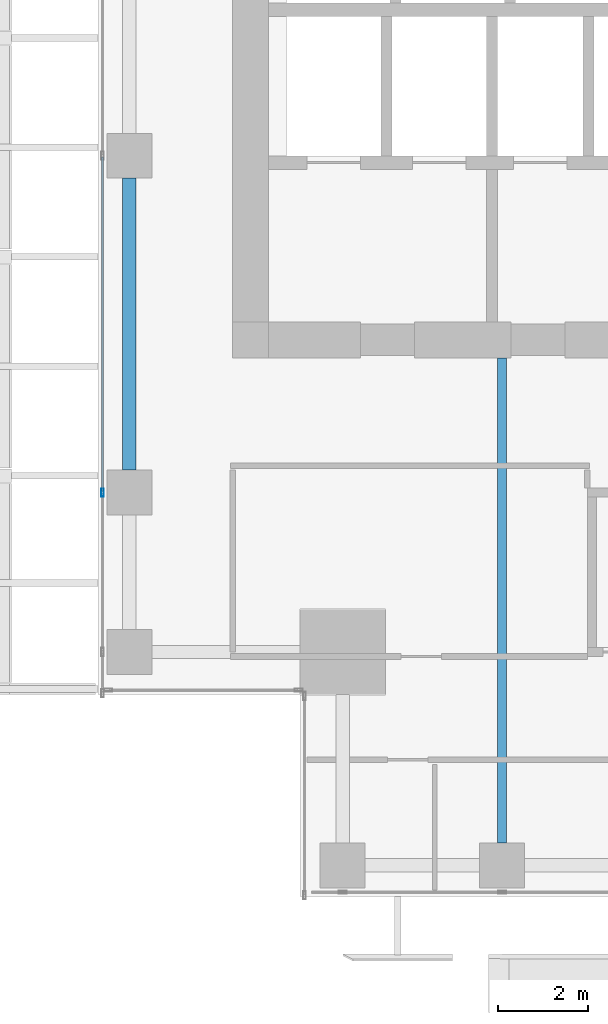
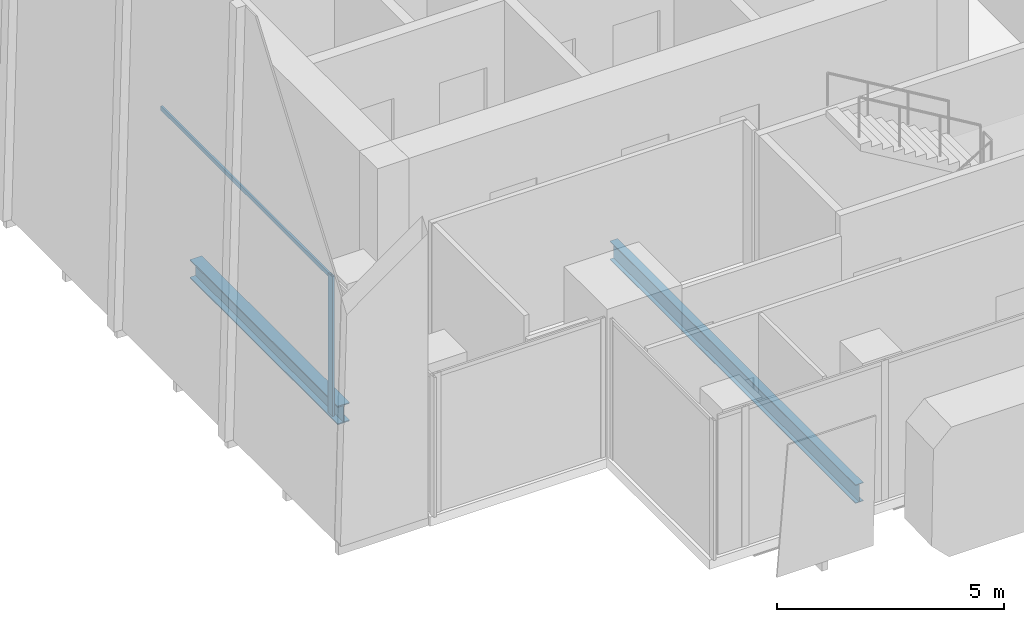
# One storey, part 4 of 40: 2 beams, 2 members, 1 element without a shape of its own.
"""IFC4 building model written with IfcOpenShell, lengths in metres."""

from ifc_helpers import new_model, si_unit, direction, frame, origin, origin_2d, place, context, subcontext, project, spatial, hollow_rectangle, i_section, extrude, source, transform, mapped, material, material_profile, profile_set, type_object, element, aggregate, save


model = new_model("IFC4")

# Units and contexts
model_context = context("Model", 3, precision=1e-05, world=origin(), true_north=direction((0.0, 1.0)))
body_context = subcontext(model_context, "Body", "Model", "MODEL_VIEW")
ifc_project = project(units=[si_unit("LENGTHUNIT", "METRE"), si_unit("AREAUNIT", "SQUARE_METRE"), si_unit("VOLUMEUNIT", "CUBIC_METRE"), si_unit("PLANEANGLEUNIT", "RADIAN"), si_unit("MASSUNIT", "GRAM", prefix="KILO")], contexts=[model_context])

# Site, building, storey
site_placement = place(None, origin())
site = spatial("IfcSite", under=ifc_project, at=site_placement, CompositionType="ELEMENT")
building_placement = place(site_placement, origin())
building = spatial("IfcBuilding", under=site, at=building_placement, Name="Khomas Fold Tower", CompositionType="ELEMENT")
storey_placement = place(building_placement, frame((0.0, 0.0, 176.699951171875)))
storey = spatial("IfcBuildingStorey", under=building, at=storey_placement, Name="L38", CompositionType="ELEMENT", Elevation=176.699951171875)

# Beams
ifc_material_1 = material(Name="Steel S355", Category="steel")
ifc_material_profile_1 = material_profile(ifc_material_1, i_section(OverallWidth=0.300048828125, OverallDepth=0.5, WebThickness=0.014404296875, FlangeThickness=0.028076171875, at=origin_2d()), Name="HE 500 B")
ifc_profile_set_1 = profile_set([ifc_material_profile_1], Name="Steel S355")
beam_type_1 = type_object("IfcBeamType", Name="HE 500 B spandrel SB3", PredefinedType="SPANDREL", material=ifc_profile_set_1)
shared_shape_1 = source(origin(), body_context, "Body", "SweptSolid", [
    extrude(i_section(OverallWidth=0.300048828125, OverallDepth=0.5, WebThickness=0.014404296875, FlangeThickness=0.028076171875, at=origin_2d()), origin(), (0.0, 0.0, 1.0), 6.5),
])
beam_1_placement = place(storey_placement, frame((3.699951171875, 12.5, -0.5), z_axis=(0.0, 1.0, 0.0), x_axis=(-1.0, 0.0, 0.0)))
element("IfcBeam", 1, at=beam_1_placement, inside=storey, type_object=beam_type_1, Name="SB3", PredefinedType="SPANDREL", context=body_context, shape_type="MappedRepresentation", body=[
    mapped(shared_shape_1, transform((0.0, 0.0, 0.0))),
])
ifc_material_2 = material(Name="Steel S355", Category="steel")
ifc_material_profile_2 = material_profile(ifc_material_2, i_section(OverallWidth=0.199951171875, OverallDepth=0.5, WebThickness=0.01025390625, FlangeThickness=0.01611328125, at=origin_2d()), Name="IPE 500")
ifc_profile_set_2 = profile_set([ifc_material_profile_2], Name="Steel S355")
beam_type_2 = type_object("IfcBeamType", Name="IPE 500 beam JB5", PredefinedType="BEAM", material=ifc_profile_set_2)
shared_shape_2 = source(origin(), body_context, "Body", "SweptSolid", [
    extrude(i_section(OverallWidth=0.199951171875, OverallDepth=0.5, WebThickness=0.01025390625, FlangeThickness=0.01611328125, at=origin_2d()), origin(), (0.0, 0.0, 1.0), 10.800048828125),
])
beam_2_placement = place(storey_placement, frame((12.0, 4.199951171875, -0.5), z_axis=(0.0, 1.0, 0.0), x_axis=(-1.0, 0.0, 0.0)))
element("IfcBeam", 2, at=beam_2_placement, inside=storey, type_object=beam_type_2, Name="JB5", PredefinedType="BEAM", context=body_context, shape_type="MappedRepresentation", body=[
    mapped(shared_shape_2, transform((0.0, 0.0, 0.0))),
])

# Curtain wall, members
ifc_material_3 = material(Name="Aluminium framed double glazing", Category="aluminium")
curtain_wall_type = type_object("IfcCurtainWallType", Name="SK-Unitised clear-glass wall, office floors CW2", PredefinedType="NOTDEFINED", material=ifc_material_3)
curtain_wall_placement = place(storey_placement, origin())
curtain_wall = element("IfcCurtainWall", 3, at=curtain_wall_placement, inside=storey, type_object=curtain_wall_type, Name="CW2 run L38 18-0", PredefinedType="NOTDEFINED")
ifc_material_4 = material(Name="Aluminium", Category="aluminium")
ifc_material_profile_3 = material_profile(ifc_material_4, hollow_rectangle(XDim=0.06005859375, YDim=0.179931640625, WallThickness=0.00390625, at=origin_2d()), Name="SK-Unitised clear-glass wall, office floors mullion CW2-M")
ifc_profile_set_3 = profile_set([ifc_material_profile_3], Name="Aluminium")
member_type_1 = type_object("IfcMemberType", Name="SK-Unitised clear-glass wall, office floors mullion CW2-M", PredefinedType="MULLION", material=ifc_profile_set_3)
shared_shape_3 = source(origin(), body_context, "Body", "SweptSolid", [
    extrude(hollow_rectangle(XDim=0.06005859375, YDim=0.179931640625, WallThickness=0.00390625, at=origin_2d()), origin(), (0.0, 0.0, 1.0), 3.75),
])
member_1_placement = place(storey_placement, frame((3.10009765625, 12.0, 0.0), z_axis=(0.0, 0.0, 1.0), x_axis=(1.0, 0.0, 0.0)))
member_1 = element("IfcMember", 4, at=member_1_placement, type_object=member_type_1, Name="CW2 mullion 7", PredefinedType="MULLION", context=body_context, shape_type="MappedRepresentation", body=[
    mapped(shared_shape_3, transform((0.0, 0.0, 0.0))),
])
ifc_material_5 = material(Name="Aluminium", Category="aluminium")
ifc_material_profile_4 = material_profile(ifc_material_5, hollow_rectangle(XDim=0.050048828125, YDim=0.110107421875, WallThickness=0.00390625, at=origin_2d()), Name="SK-Unitised clear-glass wall, office floors transom CW2-T")
ifc_profile_set_4 = profile_set([ifc_material_profile_4], Name="Aluminium")
member_type_2 = type_object("IfcMemberType", Name="SK-Unitised clear-glass wall, office floors transom CW2-T", PredefinedType="USERDEFINED", material=ifc_profile_set_4)
shared_shape_4 = source(origin(), body_context, "Body", "SweptSolid", [
    extrude(hollow_rectangle(XDim=0.050048828125, YDim=0.110107421875, WallThickness=0.00390625, at=origin_2d()), origin(), (0.0, 0.0, 1.0), 7.43994140625),
])
member_2_placement = place(storey_placement, frame((3.10009765625, 19.469970703125, 3.695068359375), z_axis=(0.0, -1.0, 0.0), x_axis=(1.0, 0.0, 0.0)))
member_2 = element("IfcMember", 5, at=member_2_placement, type_object=member_type_2, Name="CW2 transom 6", ObjectType="TRANSOM", PredefinedType="USERDEFINED", context=body_context, shape_type="MappedRepresentation", body=[
    mapped(shared_shape_4, transform((0.0, 0.0, 0.0))),
])
aggregate(curtain_wall, [member_1, member_2])

save(model, "model.ifc")
